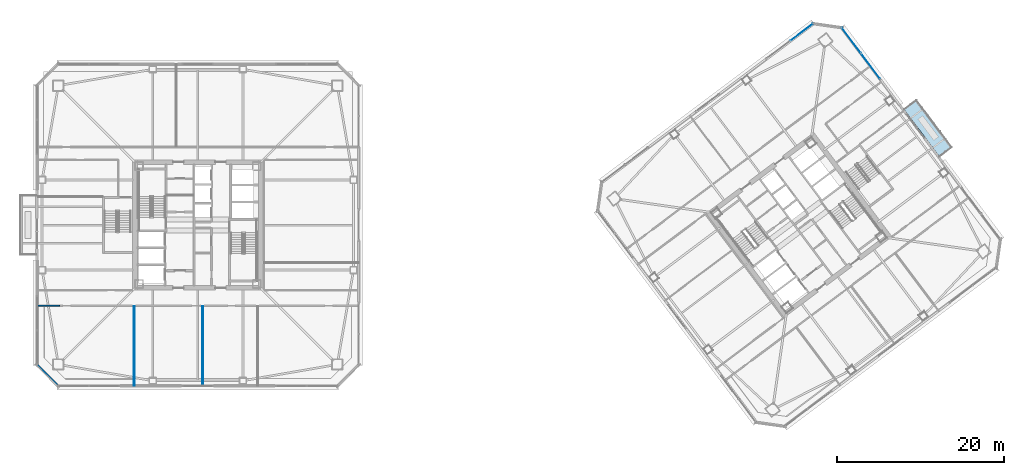
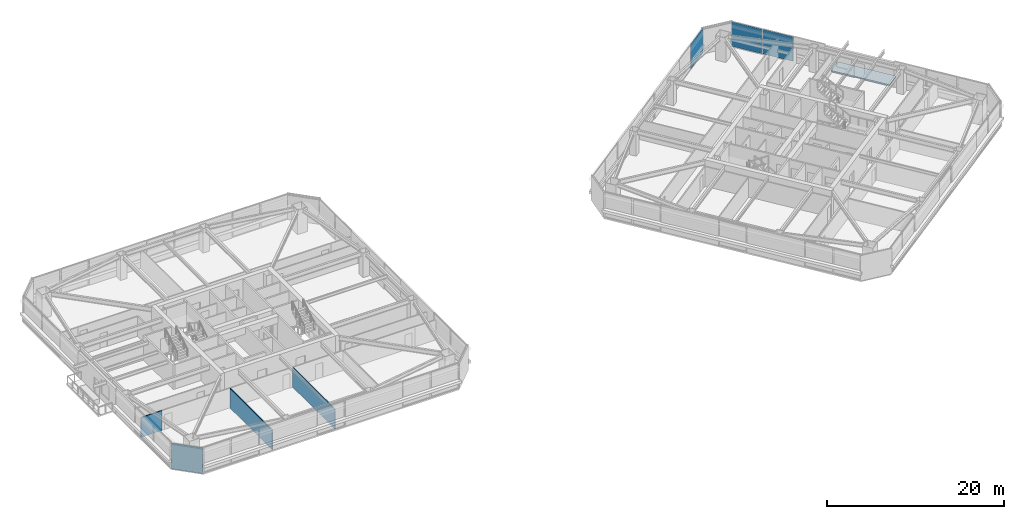
# One storey, part 33 of 44: 4 walls, 3 plates, 1 slab, 2 elements without a shape of their own.
"""IFC4 building model written with IfcOpenShell, lengths in metres."""

import ifcopenshell
import ifcopenshell.guid

model = None  # the IFC model being written
_history = None  # IfcOwnerHistory: only IFC2X3 demands one
_inside = {}  # id of a spatial element -> (the spatial element, [elements in it])
_under = {}  # id of a project, library or spatial element -> (it, [spatial elements below it])
_declared = {}  # id of a project -> (the project, [libraries it declares])
_typed = {}  # id of a type object -> (the type object, [elements of that type])
_made_of = {}  # id of a material, layer set ... -> (it, [elements and type objects made of it])


def new_model(schema):
    """Start an empty IFC model of exactly this schema.

    Asked for "IFC4X3", IfcOpenShell would pick the latest addendum, in which some entities
    have other attributes; the version numbers below select the first issue.
    IFC2X3 requires an IfcOwnerHistory on every rooted entity: one is made here for all.
    """
    global model, _history
    if schema == "IFC4X3":
        model = ifcopenshell.file(schema_version=(4, 3, 0, 0))
    else:
        model = ifcopenshell.file(schema=schema)
    _inside.clear()
    _under.clear()
    _declared.clear()
    _typed.clear()
    _made_of.clear()
    _history = None
    if model.schema == "IFC2X3":
        org = make("IfcOrganization", Name="unknown")
        user = make(
            "IfcPersonAndOrganization",
            ThePerson=make("IfcPerson", FamilyName="unknown"),
            TheOrganization=org,
        )
        app = make(
            "IfcApplication",
            ApplicationDeveloper=org,
            Version="unknown",
            ApplicationFullName="unknown",
            ApplicationIdentifier="unknown",
        )
        _history = make(
            "IfcOwnerHistory",
            OwningUser=user,
            OwningApplication=app,
            ChangeAction="ADDED",
            CreationDate=0,
        )
    return model


def make(cls, **values):
    """One entity of the class cls with the attributes given. An attribute that is None is left unset."""
    return model.create_entity(
        cls, **{name: value for name, value in values.items() if value is not None}
    )


def rooted(cls, **values):
    """An entity with a GlobalId (a new one), such as an element, a storey or a relation."""
    return make(cls, GlobalId=ifcopenshell.guid.new(), OwnerHistory=_history, **values)


def si_unit(unit_type, name, prefix=None):
    """IfcSIUnit, for example si_unit("LENGTHUNIT", "METRE", prefix="MILLI")."""
    return make("IfcSIUnit", UnitType=unit_type, Prefix=prefix, Name=name)


def assignment(units):
    """IfcUnitAssignment: the units of a project."""
    return None if units is None else make("IfcUnitAssignment", Units=units)


def point(xyz):
    """IfcCartesianPoint."""
    return None if xyz is None else make("IfcCartesianPoint", Coordinates=xyz)


def direction(xyz):
    """IfcDirection."""
    return None if xyz is None else make("IfcDirection", DirectionRatios=xyz)


def frame(location, z_axis=None, x_axis=None):
    """IfcAxis2Placement3D, a coordinate frame: its origin and axes. An axis left out is left unset."""
    return make(
        "IfcAxis2Placement3D",
        Location=point(location),
        Axis=direction(z_axis),
        RefDirection=direction(x_axis),
    )


def frame_2d(location, x_axis=None):
    """IfcAxis2Placement2D, a coordinate frame in the plane: its origin and x axis."""
    return make(
        "IfcAxis2Placement2D", Location=point(location), RefDirection=direction(x_axis)
    )


def origin():
    """The frame at (0, 0, 0) with its axes left unset."""
    return frame((0.0, 0.0, 0.0))


def origin_2d():
    """The frame at (0, 0) in the plane with its x axis left unset."""
    return frame_2d((0.0, 0.0))


def place(relative_to, where):
    """IfcLocalPlacement: puts the frame where relative to a parent placement (None: the world)."""
    return make(
        "IfcLocalPlacement", PlacementRelTo=relative_to, RelativePlacement=where
    )


def context(
    kind, dimensions, precision=None, world=None, true_north=None, identifier=None
):
    """IfcGeometricRepresentationContext, for example the 3D "Model" context."""
    return make(
        "IfcGeometricRepresentationContext",
        ContextIdentifier=identifier,
        ContextType=kind,
        CoordinateSpaceDimension=dimensions,
        Precision=precision,
        WorldCoordinateSystem=world,
        TrueNorth=true_north,
    )


def subcontext(parent, identifier, kind, view, scale=None):
    """IfcGeometricRepresentationSubContext, for example "Body" below "Model"."""
    return make(
        "IfcGeometricRepresentationSubContext",
        ContextIdentifier=identifier,
        ContextType=kind,
        ParentContext=parent,
        TargetScale=scale,
        TargetView=view,
    )


def project(units=None, contexts=None):
    """IfcProject with its units and contexts."""
    return rooted(
        "IfcProject",
        Name="project",
        RepresentationContexts=contexts,
        UnitsInContext=assignment(units),
    )


def spatial(cls, under=None, at=None, **own):
    """A site, building, storey or space (cls), placed at a placement, below another one or the project."""
    s = rooted(cls, ObjectPlacement=at, **own)
    if under is not None:
        _under.setdefault(under.id(), (under, []))[1].append(s)
    return s


def polyline(points):
    """IfcPolyline through the points."""
    return make("IfcPolyline", Points=[point(p) for p in points])


def profile(cls, at=None, kind="AREA", **sizes):
    """A parametric profile (cls). Its sizes go by their IFC names, for example OverallWidth=200.0."""
    return make(cls, ProfileType=kind, Position=at, **sizes)


def rectangle(**sizes):
    """IfcRectangleProfileDef."""
    return profile("IfcRectangleProfileDef", **sizes)


def outline(outer, holes=None, kind="AREA"):
    """IfcArbitraryClosedProfileDef: a profile drawn as a closed curve; with holes, ...WithVoids."""
    if holes is None:
        return make("IfcArbitraryClosedProfileDef", ProfileType=kind, OuterCurve=outer)
    return make(
        "IfcArbitraryProfileDefWithVoids",
        ProfileType=kind,
        OuterCurve=outer,
        InnerCurves=holes,
    )


def extrude(swept, where, along, depth):
    """IfcExtrudedAreaSolid: the profile swept, set in the frame where, extruded along a direction by depth."""
    return make(
        "IfcExtrudedAreaSolid",
        SweptArea=swept,
        Position=where,
        ExtrudedDirection=direction(along),
        Depth=depth,
    )


def shape(context_of_items, identifier, shape_type, items):
    """IfcShapeRepresentation: the items that make up one representation, for example the "Body"."""
    return make(
        "IfcShapeRepresentation",
        ContextOfItems=context_of_items,
        RepresentationIdentifier=identifier,
        RepresentationType=shape_type,
        Items=items,
    )


def material(Name=None, Category=None):
    """IfcMaterial."""
    return make("IfcMaterial", Name=Name, Category=Category)


def layer(
    of_material, thickness, ventilated=None, Name=None, Category=None, Priority=None
):
    """IfcMaterialLayer: one layer of a wall or slab, of a material (None: an air gap)."""
    return make(
        "IfcMaterialLayer",
        Material=of_material,
        LayerThickness=thickness,
        IsVentilated=ventilated,
        Name=Name,
        Category=Category,
        Priority=Priority,
    )


def layer_set(layers, Name=None):
    """IfcMaterialLayerSet."""
    return make("IfcMaterialLayerSet", MaterialLayers=layers, LayerSetName=Name)


def made_of(thing, what):
    """Note that an element or type object is made of a material, layer set ...; save() writes the relation."""
    if what is not None:
        _made_of.setdefault(what.id(), (what, []))[1].append(thing)
    return thing


def type_object(cls, material=None, **own):
    """A type object (cls), such as IfcWallType, which elements share."""
    return made_of(rooted(cls, **own), material)


def element(
    cls,
    number,
    at=None,
    inside=None,
    cuts=None,
    type_object=None,
    material=None,
    context=None,
    identifier="Body",
    shape_type=None,
    held_by="IfcProductDefinitionShape",
    body=None,
    shapes=None,
    **own,
):
    """One element of the class cls, such as IfcWall. Its Tag is "e" and its number.

    at: its placement. inside: the storey or other place that contains it. cuts: it is an
    opening in that element (IfcRelVoidsElement). A single representation is given by context,
    identifier, shape_type and body (its items); several are given by shapes. held_by: the class
    of the entity that holds the representations. save() writes the other relations.
    """
    e = rooted(cls, Tag="e%d" % number, ObjectPlacement=at, **own)
    if body is not None:
        shapes = [shape(context, identifier, shape_type, body)]
    if shapes is not None:
        e.Representation = make(held_by, Representations=shapes)
    if inside is not None:
        _inside.setdefault(inside.id(), (inside, []))[1].append(e)
    if cuts is not None:
        rooted(
            "IfcRelVoidsElement", RelatingBuildingElement=cuts, RelatedOpeningElement=e
        )
    if type_object is not None:
        _typed.setdefault(type_object.id(), (type_object, []))[1].append(e)
    return made_of(e, material)


def aggregate(whole, parts):
    """IfcRelAggregates: a whole, such as a stair, and the parts it consists of."""
    return rooted("IfcRelAggregates", RelatingObject=whole, RelatedObjects=parts)


def save(model, path):
    """Write the relations noted so far, then the file.

    IfcRelAggregates (storeys below a building ...), IfcRelContainedInSpatialStructure (elements
    in a storey), IfcRelDefinesByType, IfcRelAssociatesMaterial and IfcRelDeclares: one each for
    every whole, place, type object, material and project.
    """
    for whole, parts in _under.values():
        aggregate(whole, parts)
    for where, things in _inside.values():
        rooted(
            "IfcRelContainedInSpatialStructure",
            RelatedElements=things,
            RelatingStructure=where,
        )
    for kind, things in _typed.values():
        rooted("IfcRelDefinesByType", RelatedObjects=things, RelatingType=kind)
    for what, things in _made_of.values():
        rooted("IfcRelAssociatesMaterial", RelatedObjects=things, RelatingMaterial=what)
    for by, libraries in _declared.values():
        rooted("IfcRelDeclares", RelatingContext=by, RelatedDefinitions=libraries)
    model.write(path)


model = new_model("IFC4")

# Units and contexts
model_context = context("Model", 3, precision=1e-05, world=origin(), true_north=direction((0.0, 1.0)))
body_context = subcontext(model_context, "Body", "Model", "MODEL_VIEW")
ifc_project = project(units=[si_unit("LENGTHUNIT", "METRE"), si_unit("AREAUNIT", "SQUARE_METRE"), si_unit("VOLUMEUNIT", "CUBIC_METRE"), si_unit("PLANEANGLEUNIT", "RADIAN"), si_unit("MASSUNIT", "GRAM", prefix="KILO")], contexts=[model_context])

# Site, building, storey
site_placement = place(None, origin())
site = spatial("IfcSite", under=ifc_project, at=site_placement, CompositionType="ELEMENT")
building_placement = place(site_placement, origin())
building = spatial("IfcBuilding", under=site, at=building_placement, Name="Tashvorn Skyway Center", CompositionType="ELEMENT")
storey_placement = place(building_placement, frame((0.0, 0.0, 128.60009765625)))
storey = spatial("IfcBuildingStorey", under=building, at=storey_placement, Name="L34", CompositionType="ELEMENT", Elevation=128.60009765625)

# Curtain wall, plate
ifc_material_1 = material(Name="Thermally broken bronze-anodized aluminium 6063-T6", Category="aluminium")
curtain_wall_type = type_object("IfcCurtainWallType", Name="CW-CW-Z3", PredefinedType="NOTDEFINED", material=ifc_material_1)
curtain_wall_1_placement = place(storey_placement, origin())
curtain_wall_1 = element("IfcCurtainWall", 1, at=curtain_wall_1_placement, inside=storey, type_object=curtain_wall_type, Name="Tower 2 L34 North Unitised Curtain Wall Glazing Group 3", PredefinedType="NOTDEFINED")
ifc_material_2 = material(Name="Low-E solar-control double insulating safety glass", Category="glass")
ifc_layer_1 = layer(ifc_material_2, 0.0400390625)
ifc_layer_set_1 = layer_set([ifc_layer_1], Name="Low-E solar-control double insulating safety glass")
plate_type = type_object("IfcPlateType", Name="CWP-CW-Z3", PredefinedType="CURTAIN_PANEL", material=ifc_layer_set_1)
plate_1_placement = place(storey_placement, frame((114.3095703125, 55.08203125, 0.074951171875), z_axis=(0.0, 0.0, 1.0), x_axis=(0.799996599484, 0.600004533995, 0.0)))
plate_1 = element("IfcPlate", 2, at=plate_1_placement, type_object=plate_type, Name="CW-Z3 panel 2.1", PredefinedType="CURTAIN_PANEL", context=body_context, shape_type="SweptSolid", body=[
    extrude(rectangle(XDim=3.41650390625, YDim=0.0400390625, at=origin_2d()), origin(), (0.0, 0.0, 1.0), 3.39990234375),
])
aggregate(curtain_wall_1, [plate_1])

# Curtain wall, plates
curtain_wall_2_placement = place(storey_placement, origin())
curtain_wall_2 = element("IfcCurtainWall", 3, at=curtain_wall_2_placement, inside=storey, type_object=curtain_wall_type, Name="Tower 2 L34 East Curtain Wall L Glazing Group 1", PredefinedType="NOTDEFINED")
plate_2_placement = place(storey_placement, frame((120.270263671875, 54.1064453125, 0.074951171875), z_axis=(0.0, 0.0, 1.0), x_axis=(0.599997936379, -0.800001547712, 0.0)))
plate_2 = element("IfcPlate", 4, at=plate_2_placement, type_object=plate_type, Name="CW-Z3 panel 1.1", PredefinedType="CURTAIN_PANEL", context=body_context, shape_type="SweptSolid", body=[
    extrude(rectangle(XDim=3.76416015625, YDim=0.0400390625, at=origin_2d()), origin(), (0.0, 0.0, 1.0), 3.39990234375),
])
plate_3_placement = place(storey_placement, frame((122.57373046875, 51.034912109375, 0.074951171875), z_axis=(0.0, 0.0, 1.0), x_axis=(0.599997936379, -0.800001547712, 0.0)))
plate_3 = element("IfcPlate", 5, at=plate_3_placement, type_object=plate_type, Name="CW-Z3 panel 2.1", PredefinedType="CURTAIN_PANEL", context=body_context, shape_type="SweptSolid", body=[
    extrude(rectangle(XDim=3.76416015625, YDim=0.0400390625, at=origin_2d()), origin(), (0.0, 0.0, 1.0), 3.39990234375),
])
aggregate(curtain_wall_2, [plate_2, plate_3])

# Slab
ifc_material_3 = material(Name="Concrete C40/50", Category="concrete")
ifc_layer_2 = layer(ifc_material_3, 0.179931640625)
ifc_layer_set_2 = layer_set([ifc_layer_2], Name="Concrete C40/50")
slab_type = type_object("IfcSlabType", Name="SLAB-TERR-200", PredefinedType="FLOOR", material=ifc_layer_set_2)
slab_placement = place(storey_placement, frame((0.0, 0.0, -0.18017578125)))
element("IfcSlab", 6, at=slab_placement, inside=storey, type_object=slab_type, Name="Tower 2 L34 Spiral Planted Terrace Slab", PredefinedType="FLOOR", context=body_context, shape_type="SweptSolid", body=[
    extrude(outline(polyline([(130.8720703125, 40.154052734375), (132.39990234375, 41.300048828125), (128.080078125, 47.06005859375), (126.552001953125, 45.9140625), (130.8720703125, 40.154052734375)])), origin(), (0.0, 0.0, 1.0), 0.18017578125),
])

# Walls
ifc_material_4 = material(Name="Precast concrete C40/50", Category="concrete")
ifc_layer_3 = layer(ifc_material_4, 0.280029296875)
ifc_layer_set_3 = layer_set([ifc_layer_3], Name="Precast concrete C40/50")
wall_type_1 = type_object("IfcWallType", Name="WALL-EXT-280", PredefinedType="SOLIDWALL", material=ifc_layer_set_3)
wall_1_placement = place(storey_placement, frame((25.300048828125, 12.699951171875, 0.0), z_axis=(0.0, 0.0, 1.0), x_axis=(-0.707106781187, 0.707106781187, 0.0)))
element("IfcWall", 7, at=wall_1_placement, inside=storey, type_object=wall_type_1, Name="Tower 1 L34 SW Precast Chamfer Wall", PredefinedType="SOLIDWALL", context=body_context, shape_type="SweptSolid", body=[
    extrude(rectangle(XDim=3.677001953125, YDim=0.280029296875, at=frame_2d((1.83837890625, 0.0))), origin(), (0.0, 0.0, 1.0), 3.369873046875),
])
ifc_material_5 = material(Name="Gypsum board on cold-formed steel stud framing", Category="steel")
ifc_layer_4 = layer(ifc_material_5, 0.110107421875)
ifc_layer_set_4 = layer_set([ifc_layer_4], Name="Gypsum board on cold-formed steel stud framing")
wall_type_2 = type_object("IfcWallType", Name="WALL-PART-110", PredefinedType="PARTITIONING", material=ifc_layer_set_4)
for number, where, z_axis, x_axis, name in (
    (8, (34.39990234375, 12.719970703125, 0.0), (0.0, 0.0, 1.0), (0.0, 1.0, 0.0), "Tower 1 L34 South Suite Partition 1"),
    (9, (42.60009765625, 12.719970703125, 0.0), (0.0, 0.0, 1.0), (0.0, 1.0, 0.0), "Tower 1 L34 South Suite Partition 2"),
):
    element("IfcWall", number, at=place(storey_placement, frame(where, z_axis=z_axis, x_axis=x_axis)), inside=storey, type_object=wall_type_2, Name=name, PredefinedType="PARTITIONING", context=body_context, shape_type="SweptSolid", body=[
        extrude(rectangle(XDim=9.530029296875, YDim=0.110107421875, at=frame_2d((4.76513671875, 0.0))), origin(), (0.0, 0.0, 1.0), 2.722900390625),
    ])
ifc_layer_5 = layer(ifc_material_5, 0.135009765625)
ifc_layer_set_5 = layer_set([ifc_layer_5], Name="Gypsum board on cold-formed steel stud framing")
wall_type_3 = type_object("IfcWallType", Name="WALL-PART-135", PredefinedType="PARTITIONING", material=ifc_layer_set_5)
wall_2_placement = place(storey_placement, frame((22.719970703125, 22.330078125, 0.0), z_axis=(0.0, 0.0, 1.0), x_axis=(1.0, 0.0, 0.0)))
element("IfcWall", 10, at=wall_2_placement, inside=storey, type_object=wall_type_3, Name="Tower 1 L34 South-West Suite North Wall", PredefinedType="PARTITIONING", context=body_context, shape_type="SweptSolid", body=[
    extrude(rectangle(XDim=2.72998046875, YDim=0.135009765625, at=frame_2d((1.364990234375, 0.0))), origin(), (0.0, 0.0, 1.0), 2.722900390625),
])

save(model, "model.ifc")
